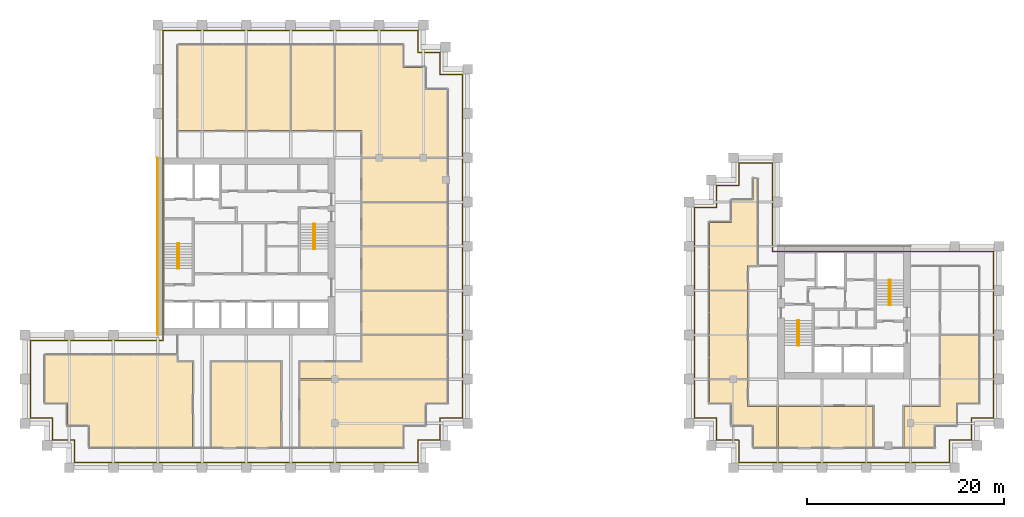
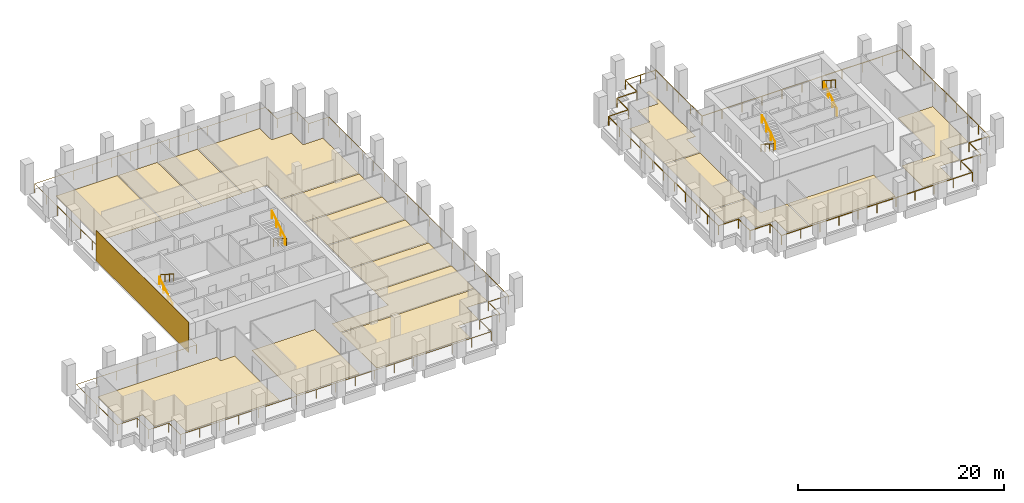
# One storey, part 45 of 46: 18 coverings, 10 railings.
"""IFC4 building model written with IfcOpenShell, lengths in metres."""

from ifc_helpers import new_model, si_unit, direction, frame, origin, origin_2d, place, context, subcontext, project, spatial, polyline, rectangle, circle, outline, extrude, source, transform, mapped, material, layer, layer_set, type_object, element, save


model = new_model("IFC4")

# Units and contexts
model_context = context("Model", 3, precision=1e-05, world=origin(), true_north=direction((0.0, 1.0)))
body_context = subcontext(model_context, "Body", "Model", "MODEL_VIEW")
ifc_project = project(units=[si_unit("LENGTHUNIT", "METRE"), si_unit("AREAUNIT", "SQUARE_METRE"), si_unit("VOLUMEUNIT", "CUBIC_METRE"), si_unit("PLANEANGLEUNIT", "RADIAN"), si_unit("MASSUNIT", "GRAM", prefix="KILO")], contexts=[model_context])

# Site, building, storey
site_placement = place(None, origin())
site = spatial("IfcSite", under=ifc_project, at=site_placement, CompositionType="ELEMENT")
building_placement = place(site_placement, origin())
building = spatial("IfcBuilding", under=site, at=building_placement, Name="Altepetl Exchange Towers", CompositionType="ELEMENT")
storey_placement = place(building_placement, frame((0.0, 0.0, 131.60009765625)))
storey = spatial("IfcBuildingStorey", under=building, at=storey_placement, Name="L32", CompositionType="ELEMENT", Elevation=131.60009765625)

# Coverings
ifc_material_1 = material(Name="Carpet tile")
ifc_layer_1 = layer(ifc_material_1, 0.02001953125)
ifc_layer_set_1 = layer_set([ifc_layer_1], Name="Carpet tile")
covering_type_1 = type_object("IfcCoveringType", Name="Carpet tile floor", PredefinedType="FLOORING", material=ifc_layer_set_1)
covering_1_placement = place(storey_placement, origin())
element("IfcCovering", 1, at=covering_1_placement, inside=storey, type_object=covering_type_1, Name="Fund office floor finish A32.05", PredefinedType="FLOORING", context=body_context, shape_type="SweptSolid", body=[
    extrude(outline(polyline([(69.9375, 44.9375), (61.262451171875, 44.9375), (61.262451171875, 40.5625), (69.9375, 40.5625), (69.9375, 44.9375)])), origin(), (0.0, 0.0, 1.0), 0.02001953125),
])
covering_2_placement = place(storey_placement, origin())
element("IfcCovering", 2, at=covering_2_placement, inside=storey, type_object=covering_type_1, Name="Meeting room floor finish A32.06", PredefinedType="FLOORING", context=body_context, shape_type="SweptSolid", body=[
    extrude(outline(polyline([(69.9375, 49.4375), (61.262451171875, 49.4375), (61.262451171875, 45.0625), (69.9375, 45.0625), (69.9375, 49.4375)])), origin(), (0.0, 0.0, 1.0), 0.02001953125),
])
covering_3_placement = place(storey_placement, origin())
element("IfcCovering", 3, at=covering_3_placement, inside=storey, type_object=covering_type_1, Name="Fund office floor finish A32.07", PredefinedType="FLOORING", context=body_context, shape_type="SweptSolid", body=[
    extrude(outline(polyline([(61.262451171875, 49.5625), (69.9375, 49.5625), (69.9375, 53.9375), (61.262451171875, 53.9375), (61.262451171875, 49.5625)])), origin(), (0.0, 0.0, 1.0), 0.02001953125),
])
covering_4_placement = place(storey_placement, origin())
element("IfcCovering", 4, at=covering_4_placement, inside=storey, type_object=covering_type_1, Name="Meeting room floor finish A32.08", PredefinedType="FLOORING", context=body_context, shape_type="SweptSolid", body=[
    extrude(outline(polyline([(61.262451171875, 54.0625), (69.9375, 54.0625), (69.9375, 58.4375), (61.262451171875, 58.4375), (61.262451171875, 54.0625)])), origin(), (0.0, 0.0, 1.0), 0.02001953125),
])
covering_5_placement = place(storey_placement, origin())
element("IfcCovering", 5, at=covering_5_placement, inside=storey, type_object=covering_type_1, Name="Fund office floor finish A32.10", PredefinedType="FLOORING", context=body_context, shape_type="SweptSolid", body=[
    extrude(outline(polyline([(58.4375, 61.262451171875), (58.4375, 69.9375), (54.0625, 69.9375), (54.0625, 61.262451171875), (58.4375, 61.262451171875)])), origin(), (0.0, 0.0, 1.0), 0.02001953125),
])
covering_6_placement = place(storey_placement, origin())
element("IfcCovering", 6, at=covering_6_placement, inside=storey, type_object=covering_type_1, Name="Meeting room floor finish A32.11", PredefinedType="FLOORING", context=body_context, shape_type="SweptSolid", body=[
    extrude(outline(polyline([(53.9375, 61.262451171875), (53.9375, 69.9375), (49.5625, 69.9375), (49.5625, 61.262451171875), (53.9375, 61.262451171875)])), origin(), (0.0, 0.0, 1.0), 0.02001953125),
])
covering_7_placement = place(storey_placement, origin())
element("IfcCovering", 7, at=covering_7_placement, inside=storey, type_object=covering_type_1, Name="Fund office floor finish B32.01", PredefinedType="FLOORING", context=body_context, shape_type="SweptSolid", body=[
    extrude(outline(polyline([(100.4375, 44.9375), (96.5625, 44.9375), (96.5625, 36.0625), (100.4375, 36.0625), (100.4375, 44.9375)])), origin(), (0.0, 0.0, 1.0), 0.02001953125),
])
covering_8_placement = place(storey_placement, origin())
element("IfcCovering", 8, at=covering_8_placement, inside=storey, type_object=covering_type_1, Name="Quiet room floor finish B32.02", PredefinedType="FLOORING", context=body_context, shape_type="SweptSolid", body=[
    extrude(outline(polyline([(100.4375, 35.9375), (96.5625, 35.9375), (96.5625, 33.5625), (98.8125, 33.5625), (98.8125, 31.3125), (101.0625, 31.3125), (101.0625, 29.0625), (103.4375, 29.0625), (103.4375, 33.237548828125), (100.4375, 33.237548828125), (100.4375, 35.9375)])), origin(), (0.0, 0.0, 1.0), 0.02001953125),
])
ifc_material_2 = material(Name="Cantera stone", Category="masonry")
ifc_layer_2 = layer(ifc_material_2, 0.030029296875)
ifc_layer_set_2 = layer_set([ifc_layer_2], Name="Cantera stone")
covering_type_2 = type_object("IfcCoveringType", Name="Polished stone floor", PredefinedType="FLOORING", material=ifc_layer_set_2)
covering_9_placement = place(storey_placement, origin())
element("IfcCovering", 9, at=covering_9_placement, inside=storey, type_object=covering_type_2, Name="Auditorium floor finish A32.01", PredefinedType="FLOORING", context=body_context, shape_type="SweptSolid", body=[
    extrude(outline(polyline([(31.3125, 33.5625), (31.3125, 31.3125), (33.5625, 31.3125), (33.5625, 29.0625), (44.03759765625, 29.0625), (44.03759765625, 37.737548828125), (42.4375, 37.737548828125), (42.4375, 38.4375), (29.0625, 38.4375), (29.0625, 33.5625), (31.3125, 33.5625)])), origin(), (0.0, 0.0, 1.0), 0.02978515625),
])
covering_10_placement = place(storey_placement, origin())
element("IfcCovering", 10, at=covering_10_placement, inside=storey, type_object=covering_type_2, Name="Cafe floor finish A32.02", PredefinedType="FLOORING", context=body_context, shape_type="SweptSolid", body=[
    extrude(outline(polyline([(45.96240234375, 37.737548828125), (45.96240234375, 29.0625), (53.03759765625, 29.0625), (53.03759765625, 37.737548828125), (45.96240234375, 37.737548828125)])), origin(), (0.0, 0.0, 1.0), 0.02978515625),
])
covering_11_placement = place(storey_placement, origin())
element("IfcCovering", 11, at=covering_11_placement, inside=storey, type_object=covering_type_2, Name="Wellness room floor finish A32.03", PredefinedType="FLOORING", context=body_context, shape_type="SweptSolid", body=[
    extrude(outline(polyline([(69.9375, 35.9375), (54.96240234375, 35.9375), (54.96240234375, 29.0625), (65.4375, 29.0625), (65.4375, 31.3125), (67.6875, 31.3125), (67.6875, 33.5625), (69.9375, 33.5625), (69.9375, 35.9375)])), origin(), (0.0, 0.0, 1.0), 0.02978515625),
])
covering_12_placement = place(storey_placement, origin())
element("IfcCovering", 12, at=covering_12_placement, inside=storey, type_object=covering_type_2, Name="Gymnasium floor finish A32.04", PredefinedType="FLOORING", context=body_context, shape_type="SweptSolid", body=[
    extrude(outline(polyline([(69.9375, 40.4375), (61.262451171875, 40.4375), (61.262451171875, 37.737548828125), (54.96240234375, 37.737548828125), (54.96240234375, 36.0625), (69.9375, 36.0625), (69.9375, 40.4375)])), origin(), (0.0, 0.0, 1.0), 0.02978515625),
])
covering_13_placement = place(storey_placement, origin())
element("IfcCovering", 13, at=covering_13_placement, inside=storey, type_object=covering_type_2, Name="Staff club floor finish A32.09", PredefinedType="FLOORING", context=body_context, shape_type="SweptSolid", body=[
    extrude(outline(polyline([(61.262451171875, 58.5625), (69.9375, 58.5625), (69.9375, 65.4375), (67.6875, 65.4375), (67.6875, 67.6875), (65.4375, 67.6875), (65.4375, 69.9375), (58.5625, 69.9375), (58.5625, 61.262451171875), (61.262451171875, 61.262451171875), (61.262451171875, 58.5625)])), origin(), (0.0, 0.0, 1.0), 0.02978515625),
])
covering_14_placement = place(storey_placement, origin())
element("IfcCovering", 14, at=covering_14_placement, inside=storey, type_object=covering_type_2, Name="Prayer room floor finish A32.12", PredefinedType="FLOORING", context=body_context, shape_type="SweptSolid", body=[
    extrude(outline(polyline([(49.4375, 61.262451171875), (49.4375, 69.9375), (42.5625, 69.9375), (42.5625, 61.262451171875), (49.4375, 61.262451171875)])), origin(), (0.0, 0.0, 1.0), 0.02978515625),
])
covering_15_placement = place(storey_placement, origin())
element("IfcCovering", 15, at=covering_15_placement, inside=storey, type_object=covering_type_2, Name="Staff club floor finish B32.03", PredefinedType="FLOORING", context=body_context, shape_type="SweptSolid", body=[
    extrude(outline(polyline([(113.1875, 33.237548828125), (103.5625, 33.237548828125), (103.5625, 29.0625), (113.1875, 29.0625), (113.1875, 33.237548828125)])), origin(), (0.0, 0.0, 1.0), 0.02978515625),
])
covering_16_placement = place(storey_placement, origin())
element("IfcCovering", 16, at=covering_16_placement, inside=storey, type_object=covering_type_2, Name="Auditorium floor finish B32.04", PredefinedType="FLOORING", context=body_context, shape_type="SweptSolid", body=[
    extrude(outline(polyline([(121.6875, 33.5625), (123.9375, 33.5625), (123.9375, 40.4375), (120.0625, 40.4375), (120.0625, 33.237548828125), (116.3125, 33.237548828125), (116.3125, 29.0625), (119.4375, 29.0625), (119.4375, 31.3125), (121.6875, 31.3125), (121.6875, 33.5625)])), origin(), (0.0, 0.0, 1.0), 0.02978515625),
])
covering_17_placement = place(storey_placement, origin())
element("IfcCovering", 17, at=covering_17_placement, inside=storey, type_object=covering_type_2, Name="Wellness room floor finish B32.06", PredefinedType="FLOORING", context=body_context, shape_type="SweptSolid", body=[
    extrude(outline(polyline([(101.0625, 56.4375), (101.0625, 54.1875), (98.8125, 54.1875), (98.8125, 51.9375), (96.5625, 51.9375), (96.5625, 45.0625), (100.4375, 45.0625), (100.4375, 47.5625), (101.4375, 47.5625), (101.4375, 56.4375), (101.0625, 56.4375)])), origin(), (0.0, 0.0, 1.0), 0.02978515625),
])
ifc_material_3 = material(Name="Cantera limestone cladding", Category="masonry")
ifc_layer_3 = layer(ifc_material_3, 0.0400390625)
ifc_layer_set_3 = layer_set([ifc_layer_3], Name="Cantera limestone cladding")
covering_type_3 = type_object("IfcCoveringType", Name="Stone panel 40 cantera", PredefinedType="CLADDING", material=ifc_layer_set_3)
covering_18_placement = place(storey_placement, frame((40.47998046875, 49.5, -0.000244140625), z_axis=(0.0, 0.0, 1.0), x_axis=(0.0, -1.0, 0.0)))
element("IfcCovering", 18, at=covering_18_placement, inside=storey, type_object=covering_type_3, Name="Stone cladding panel", PredefinedType="CLADDING", context=body_context, shape_type="SweptSolid", body=[
    extrude(rectangle(XDim=18.0, YDim=0.0400390625, at=origin_2d()), origin(), (0.0, 0.0, 1.0), 3.60009765625),
])

# Railings
ifc_material_4 = material(Name="Steel S355", Category="steel")
railing_type_1 = type_object("IfcRailingType", Name="Guard 1100 steel posts and rail", PredefinedType="GUARDRAIL", material=ifc_material_4)
shared_shape_1 = source(origin(), body_context, "Body", "SweptSolid", [
    extrude(circle(Radius=0.02099609375, at=origin_2d()), origin(), (0.0, 0.0, 1.0), 1.052001953125),
])
railing_1_placement = place(storey_placement, frame((41.050048828125, 39.949951171875, 0.0)))
element("IfcRailing", 19, at=railing_1_placement, inside=storey, type_object=railing_type_1, Name="Loggia guard", PredefinedType="GUARDRAIL", context=body_context, shape_type="SweptSolid", body=[
    extrude(circle(Radius=0.02392578125, at=origin_2d()), frame((0.0, 0.0, 1.076171875), z_axis=(-1.0, 0.0, 0.0), x_axis=(0.0, -1.0, 0.0)), (0.0, 0.0, 1.0), 13.5),
    extrude(circle(Radius=0.02392578125, at=origin_2d()), frame((-13.5, 0.0, 1.076171875), z_axis=(0.0, -1.0, 0.0), x_axis=(1.0, 0.0, 0.0)), (0.0, 0.0, 1.0), 7.89990234375),
    extrude(circle(Radius=0.02392578125, at=origin_2d()), frame((-13.5, -7.89990234375, 1.076171875), z_axis=(1.0, 0.0, 0.0), x_axis=(0.0, 1.0, 0.0)), (0.0, 0.0, 1.0), 2.25),
    extrude(circle(Radius=0.02392578125, at=origin_2d()), frame((-11.25, -7.89990234375, 1.076171875), z_axis=(0.0, -1.0, 0.0), x_axis=(1.0, 0.0, 0.0)), (0.0, 0.0, 1.0), 2.25),
    extrude(circle(Radius=0.02392578125, at=origin_2d()), frame((-11.25, -10.14990234375, 1.076171875), z_axis=(1.0, 0.0, 0.0), x_axis=(0.0, 1.0, 0.0)), (0.0, 0.0, 1.0), 2.25),
    extrude(circle(Radius=0.02392578125, at=origin_2d()), frame((-9.0, -10.14990234375, 1.076171875), z_axis=(0.0, -1.0, 0.0), x_axis=(1.0, 0.0, 0.0)), (0.0, 0.0, 1.0), 2.25),
    extrude(circle(Radius=0.02392578125, at=origin_2d()), frame((-9.0, -12.39990234375, 1.076171875), z_axis=(1.0, 0.0, 0.0), x_axis=(0.0, 1.0, 0.0)), (0.0, 0.0, 1.0), 34.89990234375),
    extrude(circle(Radius=0.02392578125, at=origin_2d()), frame((25.89990234375, -12.39990234375, 1.076171875), z_axis=(0.0, 1.0, 0.0), x_axis=(-1.0, 0.0, 0.0)), (0.0, 0.0, 1.0), 2.25),
    extrude(circle(Radius=0.02392578125, at=origin_2d()), frame((25.89990234375, -10.14990234375, 1.076171875), z_axis=(1.0, 0.0, 0.0), x_axis=(0.0, 1.0, 0.0)), (0.0, 0.0, 1.0), 2.25),
    extrude(circle(Radius=0.02392578125, at=origin_2d()), frame((28.14990234375, -10.14990234375, 1.076171875), z_axis=(0.0, 1.0, 0.0), x_axis=(-1.0, 0.0, 0.0)), (0.0, 0.0, 1.0), 2.25),
    extrude(circle(Radius=0.02392578125, at=origin_2d()), frame((28.14990234375, -7.89990234375, 1.076171875), z_axis=(1.0, 0.0, 0.0), x_axis=(0.0, 1.0, 0.0)), (0.0, 0.0, 1.0), 2.25),
    extrude(circle(Radius=0.02392578125, at=origin_2d()), frame((30.39990234375, -7.89990234375, 1.076171875), z_axis=(0.0, 1.0, 0.0), x_axis=(-1.0, 0.0, 0.0)), (0.0, 0.0, 1.0), 34.89990234375),
    extrude(circle(Radius=0.02392578125, at=origin_2d()), frame((30.39990234375, 27.0, 1.076171875), z_axis=(-1.0, 0.0, 0.0), x_axis=(0.0, -1.0, 0.0)), (0.0, 0.0, 1.0), 2.25),
    extrude(circle(Radius=0.02392578125, at=origin_2d()), frame((28.14990234375, 27.0, 1.076171875), z_axis=(0.0, 1.0, 0.0), x_axis=(-1.0, 0.0, 0.0)), (0.0, 0.0, 1.0), 2.25),
    extrude(circle(Radius=0.02392578125, at=origin_2d()), frame((28.14990234375, 29.25, 1.076171875), z_axis=(-1.0, 0.0, 0.0), x_axis=(0.0, -1.0, 0.0)), (0.0, 0.0, 1.0), 2.25),
    extrude(circle(Radius=0.02392578125, at=origin_2d()), frame((25.89990234375, 29.25, 1.076171875), z_axis=(0.0, 1.0, 0.0), x_axis=(-1.0, 0.0, 0.0)), (0.0, 0.0, 1.0), 2.25),
    extrude(circle(Radius=0.02392578125, at=origin_2d()), frame((25.89990234375, 31.5, 1.076171875), z_axis=(-1.0, 0.0, 0.0), x_axis=(0.0, -1.0, 0.0)), (0.0, 0.0, 1.0), 25.89990234375),
    extrude(circle(Radius=0.02392578125, at=origin_2d()), frame((0.0, 31.5, 1.076171875), z_axis=(0.0, -1.0, 0.0), x_axis=(1.0, 0.0, 0.0)), (0.0, 0.0, 1.0), 31.39990234375),
    mapped(shared_shape_1, transform((0.0, 0.0, 0.0))),
    mapped(shared_shape_1, transform((-2.25, 0.0, 0.0))),
    mapped(shared_shape_1, transform((-4.5, 0.0, 0.0))),
    mapped(shared_shape_1, transform((-6.75, 0.0, 0.0))),
    mapped(shared_shape_1, transform((-9.0, 0.0, 0.0))),
    mapped(shared_shape_1, transform((-11.25, 0.0, 0.0))),
    mapped(shared_shape_1, transform((-13.5, 0.0, 0.0))),
    mapped(shared_shape_1, transform((-13.5, -1.97509765625, 0.0))),
    mapped(shared_shape_1, transform((-13.5, -3.949951171875, 0.0))),
    mapped(shared_shape_1, transform((-13.5, -5.9248046875, 0.0))),
    mapped(shared_shape_1, transform((-13.5, -7.89990234375, 0.0))),
    mapped(shared_shape_1, transform((-11.25, -7.89990234375, 0.0))),
    mapped(shared_shape_1, transform((-11.25, -10.14990234375, 0.0))),
    mapped(shared_shape_1, transform((-9.0, -10.14990234375, 0.0))),
    mapped(shared_shape_1, transform((-9.0, -12.39990234375, 0.0))),
    mapped(shared_shape_1, transform((-6.81884765625, -12.39990234375, 0.0))),
    mapped(shared_shape_1, transform((-4.637451171875, -12.39990234375, 0.0))),
    mapped(shared_shape_1, transform((-2.456298828125, -12.39990234375, 0.0))),
    mapped(shared_shape_1, transform((-0.27490234375, -12.39990234375, 0.0))),
    mapped(shared_shape_1, transform((1.90625, -12.39990234375, 0.0))),
    mapped(shared_shape_1, transform((4.08740234375, -12.39990234375, 0.0))),
    mapped(shared_shape_1, transform((6.268798828125, -12.39990234375, 0.0))),
    mapped(shared_shape_1, transform((8.449951171875, -12.39990234375, 0.0))),
    mapped(shared_shape_1, transform((10.631103515625, -12.39990234375, 0.0))),
    mapped(shared_shape_1, transform((12.8125, -12.39990234375, 0.0))),
    mapped(shared_shape_1, transform((14.99365234375, -12.39990234375, 0.0))),
    mapped(shared_shape_1, transform((17.1748046875, -12.39990234375, 0.0))),
    mapped(shared_shape_1, transform((19.356201171875, -12.39990234375, 0.0))),
    mapped(shared_shape_1, transform((21.537353515625, -12.39990234375, 0.0))),
    mapped(shared_shape_1, transform((23.71875, -12.39990234375, 0.0))),
    mapped(shared_shape_1, transform((25.89990234375, -12.39990234375, 0.0))),
    mapped(shared_shape_1, transform((25.89990234375, -10.14990234375, 0.0))),
    mapped(shared_shape_1, transform((28.14990234375, -10.14990234375, 0.0))),
    mapped(shared_shape_1, transform((28.14990234375, -7.89990234375, 0.0))),
    mapped(shared_shape_1, transform((30.39990234375, -7.89990234375, 0.0))),
    mapped(shared_shape_1, transform((30.39990234375, -5.71875, 0.0))),
    mapped(shared_shape_1, transform((30.39990234375, -3.537353515625, 0.0))),
    mapped(shared_shape_1, transform((30.39990234375, -1.356201171875, 0.0))),
    mapped(shared_shape_1, transform((30.39990234375, 0.8251953125, 0.0))),
    mapped(shared_shape_1, transform((30.39990234375, 3.00634765625, 0.0))),
    mapped(shared_shape_1, transform((30.39990234375, 5.1875, 0.0))),
    mapped(shared_shape_1, transform((30.39990234375, 7.368896484375, 0.0))),
    mapped(shared_shape_1, transform((30.39990234375, 9.550048828125, 0.0))),
    mapped(shared_shape_1, transform((30.39990234375, 11.731201171875, 0.0))),
    mapped(shared_shape_1, transform((30.39990234375, 13.91259765625, 0.0))),
    mapped(shared_shape_1, transform((30.39990234375, 16.09375, 0.0))),
    mapped(shared_shape_1, transform((30.39990234375, 18.27490234375, 0.0))),
    mapped(shared_shape_1, transform((30.39990234375, 20.456298828125, 0.0))),
    mapped(shared_shape_1, transform((30.39990234375, 22.637451171875, 0.0))),
    mapped(shared_shape_1, transform((30.39990234375, 24.81884765625, 0.0))),
    mapped(shared_shape_1, transform((30.39990234375, 27.0, 0.0))),
    mapped(shared_shape_1, transform((28.14990234375, 27.0, 0.0))),
    mapped(shared_shape_1, transform((28.14990234375, 29.25, 0.0))),
    mapped(shared_shape_1, transform((25.89990234375, 29.25, 0.0))),
    mapped(shared_shape_1, transform((25.89990234375, 31.5, 0.0))),
    mapped(shared_shape_1, transform((23.74169921875, 31.5, 0.0))),
    mapped(shared_shape_1, transform((21.583251953125, 31.5, 0.0))),
    mapped(shared_shape_1, transform((19.4248046875, 31.5, 0.0))),
    mapped(shared_shape_1, transform((17.2666015625, 31.5, 0.0))),
    mapped(shared_shape_1, transform((15.1083984375, 31.5, 0.0))),
    mapped(shared_shape_1, transform((12.949951171875, 31.5, 0.0))),
    mapped(shared_shape_1, transform((10.79150390625, 31.5, 0.0))),
    mapped(shared_shape_1, transform((8.63330078125, 31.5, 0.0))),
    mapped(shared_shape_1, transform((6.47509765625, 31.5, 0.0))),
    mapped(shared_shape_1, transform((4.316650390625, 31.5, 0.0))),
    mapped(shared_shape_1, transform((2.158203125, 31.5, 0.0))),
    mapped(shared_shape_1, transform((0.0, 31.5, 0.0))),
    mapped(shared_shape_1, transform((0.0, 29.257080078125, 0.0))),
    mapped(shared_shape_1, transform((0.0, 27.014404296875, 0.0))),
    mapped(shared_shape_1, transform((0.0, 24.771484375, 0.0))),
    mapped(shared_shape_1, transform((0.0, 22.528564453125, 0.0))),
    mapped(shared_shape_1, transform((0.0, 20.28564453125, 0.0))),
    mapped(shared_shape_1, transform((0.0, 18.04296875, 0.0))),
    mapped(shared_shape_1, transform((0.0, 15.800048828125, 0.0))),
    mapped(shared_shape_1, transform((0.0, 13.55712890625, 0.0))),
    mapped(shared_shape_1, transform((0.0, 11.314453125, 0.0))),
    mapped(shared_shape_1, transform((0.0, 9.071533203125, 0.0))),
    mapped(shared_shape_1, transform((0.0, 6.82861328125, 0.0))),
    mapped(shared_shape_1, transform((0.0, 4.585693359375, 0.0))),
    mapped(shared_shape_1, transform((0.0, 2.343017578125, 0.0))),
    mapped(shared_shape_1, transform((0.0, 0.10009765625, 0.0))),
])
railing_2_placement = place(storey_placement, frame((95.050048828125, 53.449951171875, 0.0)))
element("IfcRailing", 20, at=railing_2_placement, inside=storey, type_object=railing_type_1, Name="Loggia guard", PredefinedType="GUARDRAIL", context=body_context, shape_type="SweptSolid", body=[
    extrude(circle(Radius=0.02392578125, at=origin_2d()), frame((0.0, 0.0, 1.076171875), z_axis=(0.0, -1.0, 0.0), x_axis=(1.0, 0.0, 0.0)), (0.0, 0.0, 1.0), 21.39990234375),
    extrude(circle(Radius=0.02392578125, at=origin_2d()), frame((0.0, -21.39990234375, 1.076171875), z_axis=(1.0, 0.0, 0.0), x_axis=(0.0, 1.0, 0.0)), (0.0, 0.0, 1.0), 2.25),
    extrude(circle(Radius=0.02392578125, at=origin_2d()), frame((2.25, -21.39990234375, 1.076171875), z_axis=(0.0, -1.0, 0.0), x_axis=(1.0, 0.0, 0.0)), (0.0, 0.0, 1.0), 2.25),
    extrude(circle(Radius=0.02392578125, at=origin_2d()), frame((2.25, -23.64990234375, 1.076171875), z_axis=(1.0, 0.0, 0.0), x_axis=(0.0, 1.0, 0.0)), (0.0, 0.0, 1.0), 2.25),
    extrude(circle(Radius=0.02392578125, at=origin_2d()), frame((4.5, -23.64990234375, 1.076171875), z_axis=(0.0, -1.0, 0.0), x_axis=(1.0, 0.0, 0.0)), (0.0, 0.0, 1.0), 2.25),
    extrude(circle(Radius=0.02392578125, at=origin_2d()), frame((4.5, -25.89990234375, 1.076171875), z_axis=(1.0, 0.0, 0.0), x_axis=(0.0, 1.0, 0.0)), (0.0, 0.0, 1.0), 21.39990234375),
    extrude(circle(Radius=0.02392578125, at=origin_2d()), frame((25.89990234375, -25.89990234375, 1.076171875), z_axis=(0.0, 1.0, 0.0), x_axis=(-1.0, 0.0, 0.0)), (0.0, 0.0, 1.0), 2.25),
    extrude(circle(Radius=0.02392578125, at=origin_2d()), frame((25.89990234375, -23.64990234375, 1.076171875), z_axis=(1.0, 0.0, 0.0), x_axis=(0.0, 1.0, 0.0)), (0.0, 0.0, 1.0), 2.25),
    extrude(circle(Radius=0.02392578125, at=origin_2d()), frame((28.14990234375, -23.64990234375, 1.076171875), z_axis=(0.0, 1.0, 0.0), x_axis=(-1.0, 0.0, 0.0)), (0.0, 0.0, 1.0), 2.25),
    extrude(circle(Radius=0.02392578125, at=origin_2d()), frame((28.14990234375, -21.39990234375, 1.076171875), z_axis=(1.0, 0.0, 0.0), x_axis=(0.0, 1.0, 0.0)), (0.0, 0.0, 1.0), 2.25),
    extrude(circle(Radius=0.02392578125, at=origin_2d()), frame((30.39990234375, -21.39990234375, 1.076171875), z_axis=(0.0, 1.0, 0.0), x_axis=(-1.0, 0.0, 0.0)), (0.0, 0.0, 1.0), 16.89990234375),
    extrude(circle(Radius=0.02392578125, at=origin_2d()), frame((30.39990234375, -4.5, 1.076171875), z_axis=(-1.0, 0.0, 0.0), x_axis=(0.0, -1.0, 0.0)), (0.0, 0.0, 1.0), 22.5),
    extrude(circle(Radius=0.02392578125, at=origin_2d()), frame((7.89990234375, -4.5, 1.076171875), z_axis=(0.0, 1.0, 0.0), x_axis=(-1.0, 0.0, 0.0)), (0.0, 0.0, 1.0), 9.0),
    extrude(circle(Radius=0.02392578125, at=origin_2d()), frame((7.89990234375, 4.5, 1.076171875), z_axis=(-1.0, 0.0, 0.0), x_axis=(0.0, -1.0, 0.0)), (0.0, 0.0, 1.0), 3.39990234375),
    extrude(circle(Radius=0.02392578125, at=origin_2d()), frame((4.5, 4.5, 1.076171875), z_axis=(0.0, -1.0, 0.0), x_axis=(1.0, 0.0, 0.0)), (0.0, 0.0, 1.0), 2.25),
    extrude(circle(Radius=0.02392578125, at=origin_2d()), frame((4.5, 2.25, 1.076171875), z_axis=(-1.0, 0.0, 0.0), x_axis=(0.0, -1.0, 0.0)), (0.0, 0.0, 1.0), 2.25),
    extrude(circle(Radius=0.02392578125, at=origin_2d()), frame((2.25, 2.25, 1.076171875), z_axis=(0.0, -1.0, 0.0), x_axis=(1.0, 0.0, 0.0)), (0.0, 0.0, 1.0), 2.25),
    extrude(circle(Radius=0.02392578125, at=origin_2d()), frame((2.25, 0.0, 1.076171875), z_axis=(-1.0, 0.0, 0.0), x_axis=(0.0, -1.0, 0.0)), (0.0, 0.0, 1.0), 2.150146484375),
    mapped(shared_shape_1, transform((0.0, 0.0, 0.0))),
    mapped(shared_shape_1, transform((0.0, -2.139892578125, 0.0))),
    mapped(shared_shape_1, transform((0.0, -4.280029296875, 0.0))),
    mapped(shared_shape_1, transform((0.0, -6.419921875, 0.0))),
    mapped(shared_shape_1, transform((0.0, -8.56005859375, 0.0))),
    mapped(shared_shape_1, transform((0.0, -10.699951171875, 0.0))),
    mapped(shared_shape_1, transform((0.0, -12.83984375, 0.0))),
    mapped(shared_shape_1, transform((0.0, -14.97998046875, 0.0))),
    mapped(shared_shape_1, transform((0.0, -17.119873046875, 0.0))),
    mapped(shared_shape_1, transform((0.0, -19.260009765625, 0.0))),
    mapped(shared_shape_1, transform((0.0, -21.39990234375, 0.0))),
    mapped(shared_shape_1, transform((2.25, -21.39990234375, 0.0))),
    mapped(shared_shape_1, transform((2.25, -23.64990234375, 0.0))),
    mapped(shared_shape_1, transform((4.5, -23.64990234375, 0.0))),
    mapped(shared_shape_1, transform((4.5, -25.89990234375, 0.0))),
    mapped(shared_shape_1, transform((6.639892578125, -25.89990234375, 0.0))),
    mapped(shared_shape_1, transform((8.780029296875, -25.89990234375, 0.0))),
    mapped(shared_shape_1, transform((10.919921875, -25.89990234375, 0.0))),
    mapped(shared_shape_1, transform((13.06005859375, -25.89990234375, 0.0))),
    mapped(shared_shape_1, transform((15.199951171875, -25.89990234375, 0.0))),
    mapped(shared_shape_1, transform((17.33984375, -25.89990234375, 0.0))),
    mapped(shared_shape_1, transform((19.47998046875, -25.89990234375, 0.0))),
    mapped(shared_shape_1, transform((21.619873046875, -25.89990234375, 0.0))),
    mapped(shared_shape_1, transform((23.760009765625, -25.89990234375, 0.0))),
    mapped(shared_shape_1, transform((25.89990234375, -25.89990234375, 0.0))),
    mapped(shared_shape_1, transform((25.89990234375, -23.64990234375, 0.0))),
    mapped(shared_shape_1, transform((28.14990234375, -23.64990234375, 0.0))),
    mapped(shared_shape_1, transform((28.14990234375, -21.39990234375, 0.0))),
    mapped(shared_shape_1, transform((30.39990234375, -21.39990234375, 0.0))),
    mapped(shared_shape_1, transform((30.39990234375, -19.287353515625, 0.0))),
    mapped(shared_shape_1, transform((30.39990234375, -17.1748046875, 0.0))),
    mapped(shared_shape_1, transform((30.39990234375, -15.0625, 0.0))),
    mapped(shared_shape_1, transform((30.39990234375, -12.949951171875, 0.0))),
    mapped(shared_shape_1, transform((30.39990234375, -10.83740234375, 0.0))),
    mapped(shared_shape_1, transform((30.39990234375, -8.72509765625, 0.0))),
    mapped(shared_shape_1, transform((30.39990234375, -6.612548828125, 0.0))),
    mapped(shared_shape_1, transform((30.39990234375, -4.5, 0.0))),
    mapped(shared_shape_1, transform((28.14990234375, -4.5, 0.0))),
    mapped(shared_shape_1, transform((25.89990234375, -4.5, 0.0))),
    mapped(shared_shape_1, transform((23.64990234375, -4.5, 0.0))),
    mapped(shared_shape_1, transform((21.39990234375, -4.5, 0.0))),
    mapped(shared_shape_1, transform((19.14990234375, -4.5, 0.0))),
    mapped(shared_shape_1, transform((16.89990234375, -4.5, 0.0))),
    mapped(shared_shape_1, transform((14.64990234375, -4.5, 0.0))),
    mapped(shared_shape_1, transform((12.39990234375, -4.5, 0.0))),
    mapped(shared_shape_1, transform((10.14990234375, -4.5, 0.0))),
    mapped(shared_shape_1, transform((7.89990234375, -4.5, 0.0))),
    mapped(shared_shape_1, transform((7.89990234375, -2.25, 0.0))),
    mapped(shared_shape_1, transform((7.89990234375, 0.0, 0.0))),
    mapped(shared_shape_1, transform((7.89990234375, 2.25, 0.0))),
    mapped(shared_shape_1, transform((7.89990234375, 4.5, 0.0))),
    mapped(shared_shape_1, transform((6.199951171875, 4.5, 0.0))),
    mapped(shared_shape_1, transform((4.5, 4.5, 0.0))),
    mapped(shared_shape_1, transform((4.5, 2.25, 0.0))),
    mapped(shared_shape_1, transform((2.25, 2.25, 0.0))),
    mapped(shared_shape_1, transform((2.25, 0.0, 0.0))),
    mapped(shared_shape_1, transform((0.099853515625, 0.0, 0.0))),
])
ifc_material_5 = material(Name="Steel", Category="steel")
railing_type_2 = type_object("IfcRailingType", Name="Stair handrail 50 steel tube", PredefinedType="HANDRAIL", material=ifc_material_5)
shared_shape_2 = source(origin(), body_context, "Body", "SweptSolid", [
    extrude(circle(Radius=0.02099609375, at=origin_2d()), origin(), (0.0, 0.0, 1.0), 0.851806640625),
])
railing_3_placement = place(storey_placement, frame((42.52001953125, 47.25, 0.179931640625)))
element("IfcRailing", 21, at=railing_3_placement, inside=storey, type_object=railing_type_2, Name="Stair handrail", PredefinedType="HANDRAIL", context=body_context, shape_type="SweptSolid", body=[
    extrude(circle(Radius=0.02392578125, at=origin_2d()), frame((0.0, 0.0, 0.8759765625), z_axis=(0.0, 0.841199657755, 0.540724639528), x_axis=(-1.0, 0.0, 0.0)), (0.0, 0.0, 1.0), 2.995849609375),
    mapped(shared_shape_2, transform((0.0, 0.0, 0.0))),
    mapped(shared_shape_2, transform((0.0, 0.840087890625, 0.5400390625))),
    mapped(shared_shape_2, transform((0.0, 1.679931640625, 1.079833984375))),
    mapped(shared_shape_2, transform((0.0, 2.52001953125, 1.619873046875))),
])
for number, where, name in (
    (22, (42.679931640625, 49.77001953125, 1.97998046875), "Stair handrail"),
    (23, (56.47998046875, 51.75, 0.179931640625), "Stair handrail"),
):
    element("IfcRailing", number, at=place(storey_placement, frame(where)), inside=storey, type_object=railing_type_2, Name=name, PredefinedType="HANDRAIL", context=body_context, shape_type="SweptSolid", body=[
        extrude(circle(Radius=0.02392578125, at=origin_2d()), frame((0.0, 0.0, 0.8759765625), z_axis=(0.0, -0.841199657755, 0.540724639528), x_axis=(1.0, 0.0, 0.0)), (0.0, 0.0, 1.0), 2.995849609375),
        mapped(shared_shape_2, transform((0.0, 0.0, 0.0))),
        mapped(shared_shape_2, transform((0.0, -0.840087890625, 0.5400390625))),
        mapped(shared_shape_2, transform((0.0, -1.679931640625, 1.079833984375))),
        mapped(shared_shape_2, transform((0.0, -2.52001953125, 1.619873046875))),
    ])
railing_4_placement = place(storey_placement, frame((56.320068359375, 49.22998046875, 1.97998046875)))
element("IfcRailing", 24, at=railing_4_placement, inside=storey, type_object=railing_type_2, Name="Stair handrail", PredefinedType="HANDRAIL", context=body_context, shape_type="SweptSolid", body=[
    extrude(circle(Radius=0.02392578125, at=origin_2d()), frame((0.0, 0.0, 0.8759765625), z_axis=(0.0, 0.841199657755, 0.540724639528), x_axis=(-1.0, 0.0, 0.0)), (0.0, 0.0, 1.0), 2.995849609375),
    mapped(shared_shape_2, transform((0.0, 0.0, 0.0))),
    mapped(shared_shape_2, transform((0.0, 0.840087890625, 0.5400390625))),
    mapped(shared_shape_2, transform((0.0, 1.679931640625, 1.079833984375))),
    mapped(shared_shape_2, transform((0.0, 2.52001953125, 1.619873046875))),
])
railing_5_placement = place(storey_placement, frame((105.52001953125, 41.949951171875, 0.179931640625)))
element("IfcRailing", 25, at=railing_5_placement, inside=storey, type_object=railing_type_2, Name="Stair handrail", PredefinedType="HANDRAIL", context=body_context, shape_type="SweptSolid", body=[
    extrude(circle(Radius=0.02392578125, at=origin_2d()), frame((0.0, 0.0, 0.8759765625), z_axis=(0.0, -0.841199657755, 0.540724639528), x_axis=(1.0, 0.0, 0.0)), (0.0, 0.0, 1.0), 2.995849609375),
    mapped(shared_shape_2, transform((0.0, 0.0, 0.0))),
    mapped(shared_shape_2, transform((0.0, -0.840087890625, 0.5400390625))),
    mapped(shared_shape_2, transform((0.0, -1.679931640625, 1.079833984375))),
    mapped(shared_shape_2, transform((0.0, -2.52001953125, 1.619873046875))),
])
for number, where, name in (
    (26, (105.679931640625, 39.429931640625, 1.97998046875), "Stair handrail"),
    (27, (114.97998046875, 43.550048828125, 0.179931640625), "Stair handrail"),
):
    element("IfcRailing", number, at=place(storey_placement, frame(where)), inside=storey, type_object=railing_type_2, Name=name, PredefinedType="HANDRAIL", context=body_context, shape_type="SweptSolid", body=[
        extrude(circle(Radius=0.02392578125, at=origin_2d()), frame((0.0, 0.0, 0.8759765625), z_axis=(0.0, 0.841199657755, 0.540724639528), x_axis=(-1.0, 0.0, 0.0)), (0.0, 0.0, 1.0), 2.995849609375),
        mapped(shared_shape_2, transform((0.0, 0.0, 0.0))),
        mapped(shared_shape_2, transform((0.0, 0.840087890625, 0.5400390625))),
        mapped(shared_shape_2, transform((0.0, 1.679931640625, 1.079833984375))),
        mapped(shared_shape_2, transform((0.0, 2.52001953125, 1.619873046875))),
    ])
railing_6_placement = place(storey_placement, frame((114.820068359375, 46.070068359375, 1.97998046875)))
element("IfcRailing", 28, at=railing_6_placement, inside=storey, type_object=railing_type_2, Name="Stair handrail", PredefinedType="HANDRAIL", context=body_context, shape_type="SweptSolid", body=[
    extrude(circle(Radius=0.02392578125, at=origin_2d()), frame((0.0, 0.0, 0.8759765625), z_axis=(0.0, -0.841199657755, 0.540724639528), x_axis=(1.0, 0.0, 0.0)), (0.0, 0.0, 1.0), 2.995849609375),
    mapped(shared_shape_2, transform((0.0, 0.0, 0.0))),
    mapped(shared_shape_2, transform((0.0, -0.840087890625, 0.5400390625))),
    mapped(shared_shape_2, transform((0.0, -1.679931640625, 1.079833984375))),
    mapped(shared_shape_2, transform((0.0, -2.52001953125, 1.619873046875))),
])

save(model, "model.ifc")
